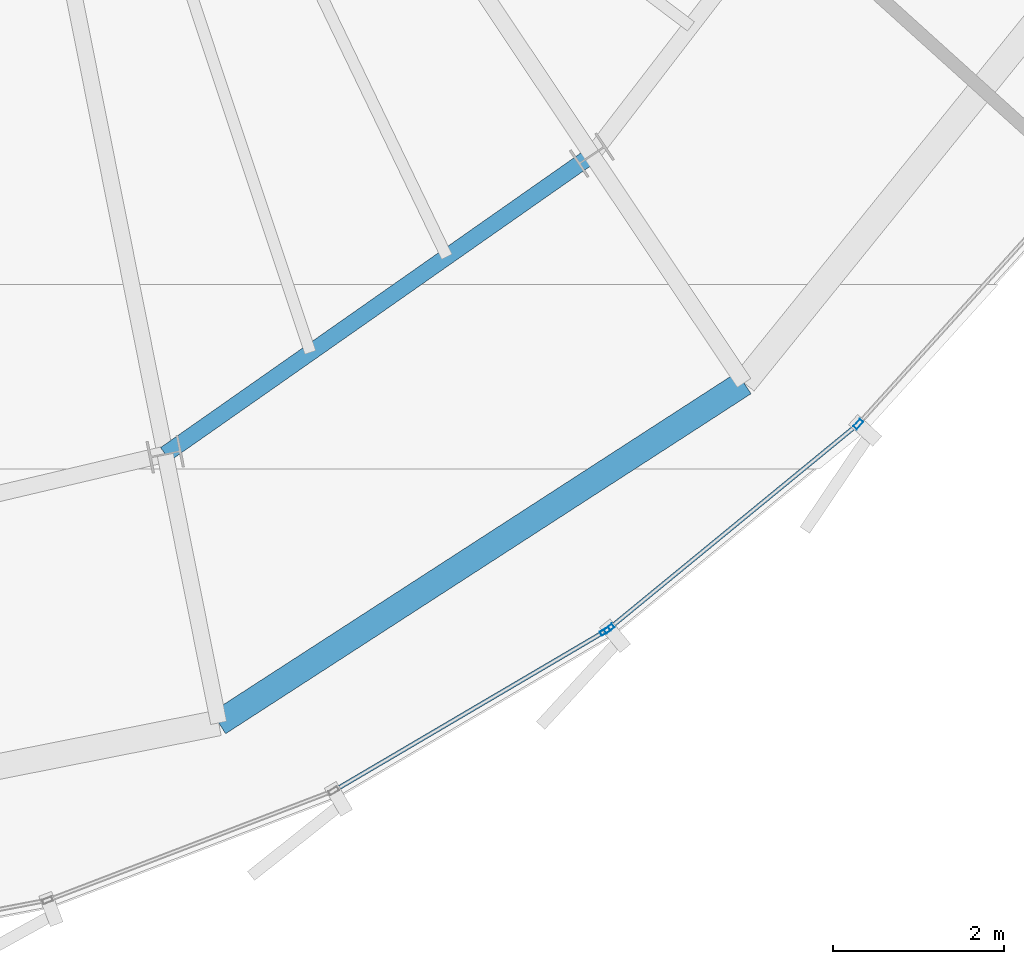
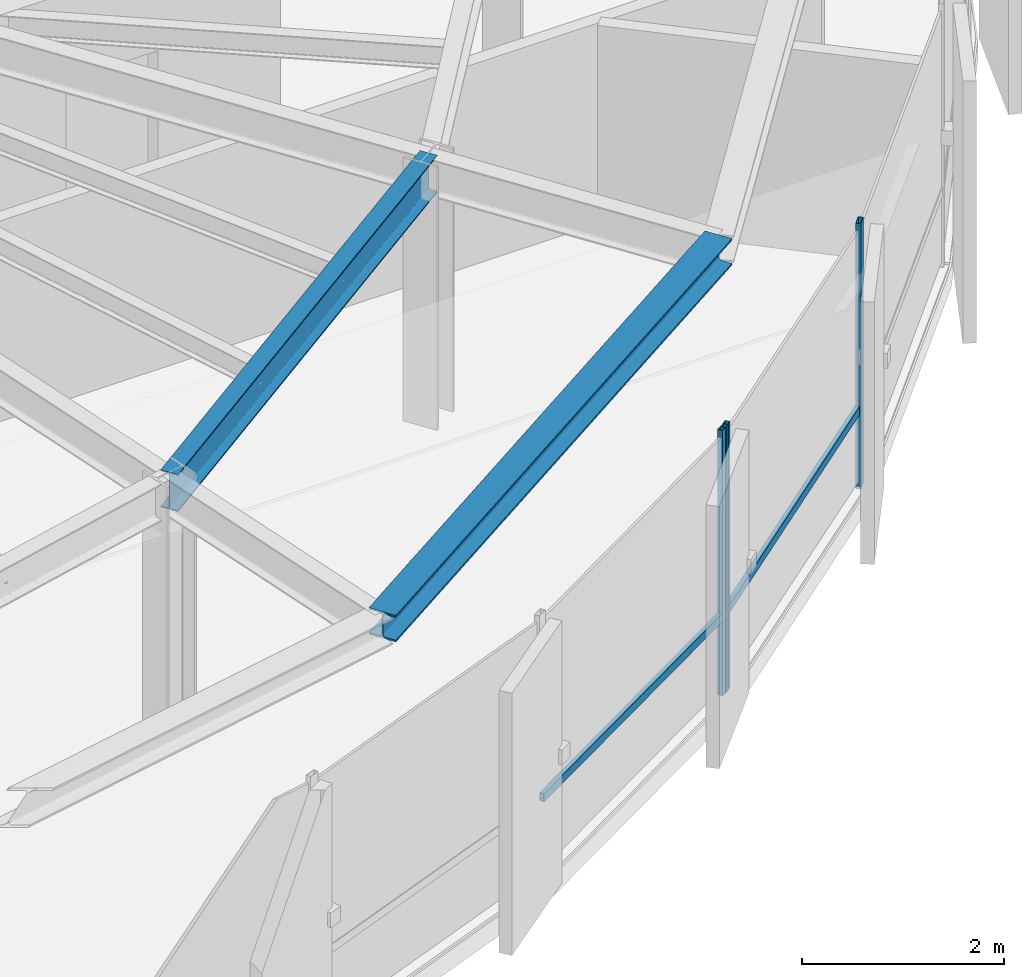
# One storey, part 7 of 31: 5 members, 2 beams, 2 elements without a shape of their own.
"""IFC4 building model written with IfcOpenShell, lengths in metres."""

from ifc_helpers import new_model, si_unit, direction, frame, origin, origin_2d, place, context, subcontext, project, spatial, hollow_rectangle, i_section, extrude, source, transform, mapped, material, layer, layer_set, material_profile, profile_set, type_object, element, aggregate, save


model = new_model("IFC4")

# Units and contexts
model_context = context("Model", 3, precision=1e-05, world=origin(), true_north=direction((0.0, 1.0)))
body_context = subcontext(model_context, "Body", "Model", "MODEL_VIEW")
ifc_project = project(units=[si_unit("LENGTHUNIT", "METRE"), si_unit("AREAUNIT", "SQUARE_METRE"), si_unit("VOLUMEUNIT", "CUBIC_METRE"), si_unit("PLANEANGLEUNIT", "RADIAN"), si_unit("MASSUNIT", "GRAM", prefix="KILO"), si_unit("THERMODYNAMICTEMPERATUREUNIT", "KELVIN")], contexts=[model_context])

# Site, building, storey
site_placement = place(None, origin())
site = spatial("IfcSite", under=ifc_project, at=site_placement, CompositionType="ELEMENT")
building_placement = place(site_placement, origin())
building = spatial("IfcBuilding", under=site, at=building_placement, Name="Kethvar Cultural Tower", CompositionType="ELEMENT")
storey_placement = place(building_placement, frame((0.0, 0.0, 276.699951171875)))
storey = spatial("IfcBuildingStorey", under=building, at=storey_placement, Name="L73", CompositionType="ELEMENT", Elevation=276.699951171875)

# Beams
ifc_material_1 = material(Name="Steel S355J2", Category="steel")
ifc_material_profile_1 = material_profile(ifc_material_1, i_section(OverallWidth=0.18994140625, OverallDepth=0.449951171875, WebThickness=0.009521484375, FlangeThickness=0.0146484375, FilletRadius=0.02099609375, at=origin_2d()), Name="Steel S355J2 — IPE450")
ifc_profile_set_1 = profile_set([ifc_material_profile_1], Name="Steel S355J2 — IPE450")
beam_type_1 = type_object("IfcBeamType", Name="BM-IPE450", PredefinedType="BEAM", material=ifc_profile_set_1)
shared_shape_1 = source(origin(), body_context, "Body", "SweptSolid", [
    extrude(i_section(OverallWidth=0.18994140625, OverallDepth=0.449951171875, WebThickness=0.009521484375, FlangeThickness=0.0146484375, FilletRadius=0.02099609375, at=origin_2d()), origin(), (0.0, 0.0, 1.0), 6.0859375),
])
beam_1_placement = place(storey_placement, frame((49.901611328125, 12.206787109375, 2.983154296875), z_axis=(0.818843498091, 0.57401683393, 0.0), x_axis=(-0.57401683393, 0.818843498091, 0.0)))
element("IfcBeam", 1, at=beam_1_placement, inside=storey, type_object=beam_type_1, Name="L73 Column Ring Tie Beam CR-13", PredefinedType="BEAM", context=body_context, shape_type="MappedRepresentation", body=[
    mapped(shared_shape_1, transform((0.0, 0.0, 0.0), scale=1.0)),
])
ifc_material_profile_2 = material_profile(ifc_material_1, i_section(OverallWidth=0.300048828125, OverallDepth=0.320068359375, WebThickness=0.011474609375, FlangeThickness=0.0205078125, FilletRadius=0.027099609375, at=origin_2d()), Name="Steel S355J2 — HEB320")
ifc_profile_set_2 = profile_set([ifc_material_profile_2], Name="Steel S355J2 — HEB320")
beam_type_2 = type_object("IfcBeamType", Name="BM-SP320", PredefinedType="SPANDREL", material=ifc_profile_set_2)
shared_shape_2 = source(origin(), body_context, "Body", "SweptSolid", [
    extrude(i_section(OverallWidth=0.300048828125, OverallDepth=0.320068359375, WebThickness=0.011474609375, FlangeThickness=0.0205078125, FilletRadius=0.027099609375, at=origin_2d()), origin(), (0.0, 0.0, 1.0), 7.309326171875),
])
beam_2_placement = place(storey_placement, frame((50.52587890625, 9.068359375, 3.048095703125), z_axis=(0.839562091992, 0.543263742292, 0.0), x_axis=(-0.543263742292, 0.839562091992, 0.0)))
element("IfcBeam", 2, at=beam_2_placement, inside=storey, type_object=beam_type_2, Name="L73 Perimeter Spandrel Beam SP-13", PredefinedType="SPANDREL", context=body_context, shape_type="MappedRepresentation", body=[
    mapped(shared_shape_2, transform((0.0, 0.0, 0.0), scale=1.0)),
])

# Curtain wall, member
ifc_material_2 = material(Name="Aluminium 6063-T6", Category="aluminium")
ifc_layer = layer(ifc_material_2, 0.179931640625, Name="Aluminium 6063-T6", Category="aluminium")
ifc_layer_set = layer_set([ifc_layer], Name="Aluminium 6063-T6 (180 mm)")
curtain_wall_type = type_object("IfcCurtainWallType", Name="CW-SYS-05-Z56", PredefinedType="NOTDEFINED", material=ifc_layer_set)
curtain_wall_1_placement = place(storey_placement, origin())
curtain_wall_1 = element("IfcCurtainWall", 3, at=curtain_wall_1_placement, inside=storey, type_object=curtain_wall_type, Name="L73 Curtain Wall Run 04", PredefinedType="NOTDEFINED")
ifc_material_profile_3 = material_profile(ifc_material_2, hollow_rectangle(XDim=0.054931640625, YDim=0.1201171875, WallThickness=0.00390625, at=origin_2d()), Name="Aluminium 6063-T6 — RHS120x55x4")
ifc_profile_set_3 = profile_set([ifc_material_profile_3], Name="Aluminium 6063-T6 — RHS120x55x4")
member_type_1 = type_object("IfcMemberType", Name="CW-SYS-05-Z56-MUL", PredefinedType="MULLION", material=ifc_profile_set_3)
shared_shape_3 = source(origin(), body_context, "Body", "SweptSolid", [
    extrude(hollow_rectangle(XDim=0.054931640625, YDim=0.1201171875, WallThickness=0.00390625, at=origin_2d()), origin(), (0.0, 0.0, 1.0), 3.2099609375),
])
member_1_placement = place(storey_placement, frame((55.039794921875, 10.138916015625, 0.0), z_axis=(0.0, 0.0, 1.0), x_axis=(-0.50669597779, 0.862124808883, 0.0)))
member_1 = element("IfcMember", 4, at=member_1_placement, type_object=member_type_1, Name="CW-L73-R04 Mullion 7", PredefinedType="MULLION", context=body_context, shape_type="MappedRepresentation", body=[
    mapped(shared_shape_3, transform((0.0, 0.0, 0.0), scale=1.0)),
])

# Curtain wall, members
curtain_wall_2_placement = place(storey_placement, origin())
curtain_wall_2 = element("IfcCurtainWall", 5, at=curtain_wall_2_placement, inside=storey, type_object=curtain_wall_type, Name="L73 Curtain Wall Run 05", PredefinedType="NOTDEFINED")
member_2_placement = place(storey_placement, frame((55.085693359375, 10.1708984375, 0.0), z_axis=(0.0, 0.0, 1.0), x_axis=(-0.634447248928, 0.772966162473, 0.0)))
member_2 = element("IfcMember", 6, at=member_2_placement, type_object=member_type_1, Name="CW-L73-R05 Mullion 1", PredefinedType="MULLION", context=body_context, shape_type="MappedRepresentation", body=[
    mapped(shared_shape_3, transform((0.0, 0.0, 0.0), scale=1.0)),
])
member_3_placement = place(storey_placement, frame((57.995849609375, 12.55810546875, 0.0), z_axis=(0.0, 0.0, 1.0), x_axis=(-0.742116238524, 0.670271205199, 0.0)))
member_3 = element("IfcMember", 7, at=member_3_placement, type_object=member_type_1, Name="CW-L73-R05 Mullion 2", PredefinedType="MULLION", context=body_context, shape_type="MappedRepresentation", body=[
    mapped(shared_shape_3, transform((0.0, 0.0, 0.0), scale=1.0)),
])
ifc_material_profile_4 = material_profile(ifc_material_2, hollow_rectangle(XDim=0.050048828125, YDim=0.10009765625, WallThickness=0.00390625, at=origin_2d()), Name="Aluminium 6063-T6 — RHS100x50x4")
ifc_profile_set_4 = profile_set([ifc_material_profile_4], Name="Aluminium 6063-T6 — RHS100x50x4")
member_type_2 = type_object("IfcMemberType", Name="CW-SYS-05-Z56-TRN", PredefinedType="USERDEFINED", material=ifc_profile_set_4)
shared_shape_4 = source(origin(), body_context, "Body", "SweptSolid", [
    extrude(hollow_rectangle(XDim=0.050048828125, YDim=0.10009765625, WallThickness=0.00390625, at=origin_2d()), origin(), (0.0, 0.0, 1.0), 3.7353515625),
])
member_4_placement = place(storey_placement, frame((55.088623046875, 10.17333984375, 0.949951171875), z_axis=(0.772957480105, 0.63445782677, 0.0), x_axis=(-0.63445782677, 0.772957480105, 0.0)))
member_4 = element("IfcMember", 8, at=member_4_placement, type_object=member_type_2, Name="CW-L73-R05 Transom 1", ObjectType="TRANSOM", PredefinedType="USERDEFINED", context=body_context, shape_type="MappedRepresentation", body=[
    mapped(shared_shape_4, transform((0.0, 0.0, 0.0), scale=1.0)),
])
aggregate(curtain_wall_2, [member_2, member_3, member_4])

# Member
shared_shape_5 = source(origin(), body_context, "Body", "SweptSolid", [
    extrude(hollow_rectangle(XDim=0.050048828125, YDim=0.10009765625, WallThickness=0.00390625, at=origin_2d()), origin(), (0.0, 0.0, 1.0), 3.634033203125),
])
member_5_placement = place(storey_placement, frame((51.903564453125, 8.295654296875, 0.949951171875), z_axis=(0.862134482127, 0.506679518757, 0.0), x_axis=(-0.506679518757, 0.862134482127, 0.0)))
member_5 = element("IfcMember", 9, at=member_5_placement, type_object=member_type_2, Name="CW-L73-R04 Transom 6", ObjectType="TRANSOM", PredefinedType="USERDEFINED", context=body_context, shape_type="MappedRepresentation", body=[
    mapped(shared_shape_5, transform((0.0, 0.0, 0.0), scale=1.0)),
])

aggregate(curtain_wall_1, [member_1, member_5])

save(model, "model.ifc")
